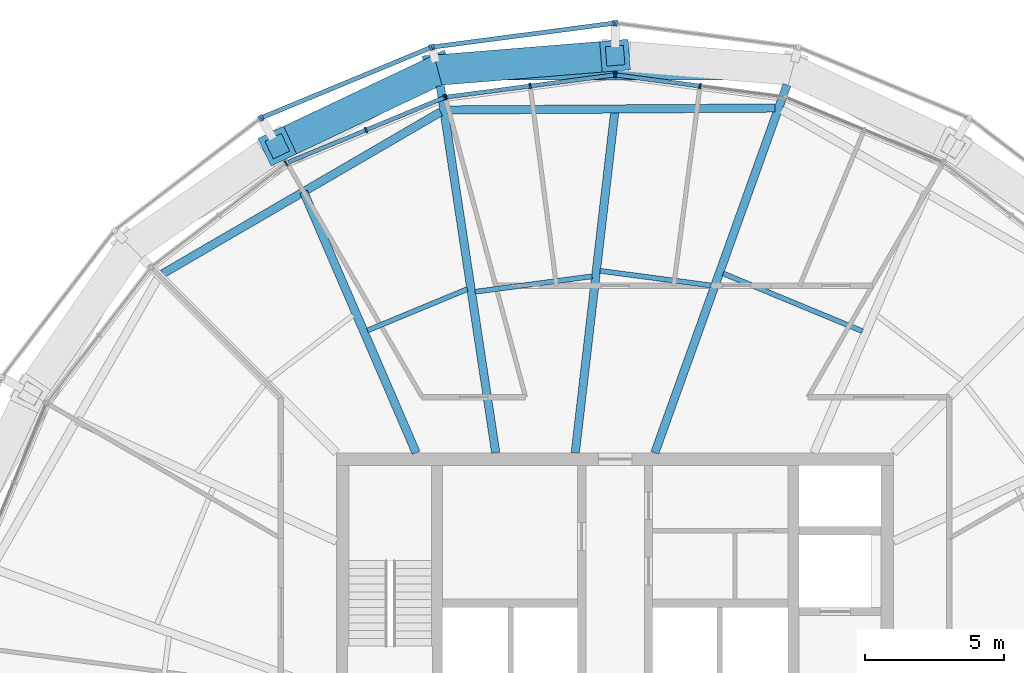
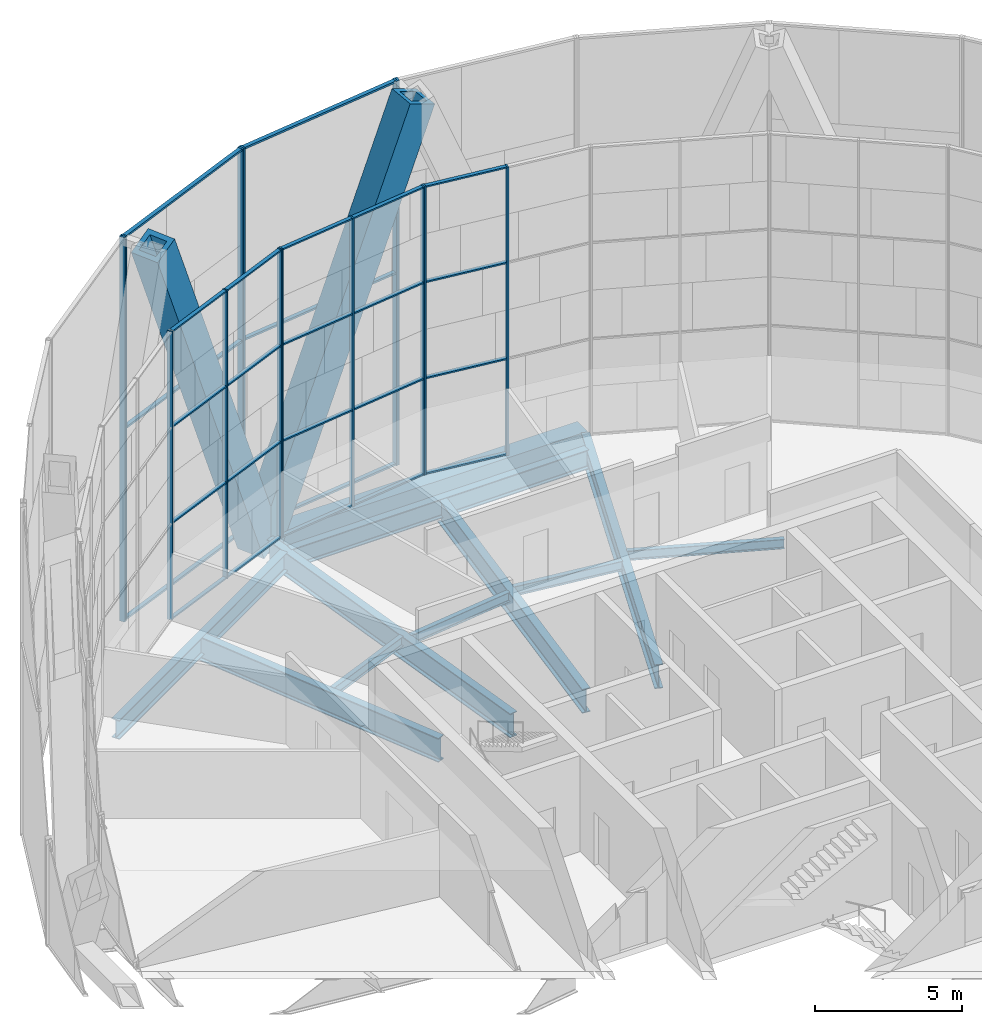
# One storey, part 8 of 26: 42 members, 11 beams, 8 elements without a shape of their own.
"""IFC4 building model written with IfcOpenShell, lengths in metres."""

from ifc_helpers import new_model, si_unit, direction, frame, origin, origin_2d, place, context, subcontext, project, spatial, rectangle, hollow_rectangle, i_section, extrude, material, material_profile, profile_set, type_object, element, aggregate, save


model = new_model("IFC4")

# Units and contexts
model_context = context("Model", 3, precision=1e-05, world=origin(), true_north=direction((0.0, 1.0)))
body_context = subcontext(model_context, "Body", "Model", "MODEL_VIEW")
ifc_project = project(units=[si_unit("LENGTHUNIT", "METRE"), si_unit("AREAUNIT", "SQUARE_METRE"), si_unit("VOLUMEUNIT", "CUBIC_METRE"), si_unit("PLANEANGLEUNIT", "RADIAN"), si_unit("MASSUNIT", "GRAM", prefix="KILO")], contexts=[model_context])

# Site, building, storey
site_placement = place(None, origin())
site = spatial("IfcSite", under=ifc_project, at=site_placement, CompositionType="ELEMENT")
building_placement = place(site_placement, origin())
building = spatial("IfcBuilding", under=site, at=building_placement, Name="Golbaran Civic Tower", CompositionType="ELEMENT")
storey_placement = place(building_placement, frame((0.0, 0.0, 199.0)))
storey = spatial("IfcBuildingStorey", under=building, at=storey_placement, Name="L48", CompositionType="ELEMENT", Elevation=199.0)

# Members
ifc_material_1 = material(Name="Steel S355", Category="steel")
ifc_material_profile_1 = material_profile(ifc_material_1, hollow_rectangle(XDim=1.10009765625, YDim=1.10009765625, WallThickness=0.199951171875, at=origin_2d()), Name="BOX 1100x1100x200")
ifc_profile_set_1 = profile_set([ifc_material_profile_1], Name="Steel S355")
member_type_1 = type_object("IfcMemberType", Name="DIAGRID DIAGONAL BOX 1100x1100x200", PredefinedType="BRACE", material=ifc_profile_set_1)
for number, where, z_axis, x_axis, name in (
    (1, (-6.361328125, 23.740478515625, -0.7099609375), (-0.334764832099, -0.158722749986, 0.92883776615), (0.428416849002, -0.903581210236, 0.0), "Diagonal D11-03R L48-L52"),
    (2, (-6.361328125, 23.740478515625, -0.7099609375), (0.369288121894, 0.029933086945, 0.928832758538), (-0.080791217773, 0.996731046537, 0.0), "Diagonal D11-03L L48-L52"),
):
    element("IfcMember", number, at=place(storey_placement, frame(where, z_axis=z_axis, x_axis=x_axis)), inside=storey, type_object=member_type_1, Name=name, PredefinedType="BRACE", context=body_context, shape_type="SweptSolid", body=[
        extrude(hollow_rectangle(XDim=1.10009765625, YDim=1.10009765625, WallThickness=0.199951171875, at=origin_2d()), origin(), (0.0, 0.0, 1.0), 17.225830078125),
    ])

# Beams
ifc_material_profile_2 = material_profile(ifc_material_1, hollow_rectangle(XDim=0.699951171875, YDim=0.699951171875, WallThickness=0.080078125, at=origin_2d()), Name="BOX 700x700x80")
ifc_profile_set_2 = profile_set([ifc_material_profile_2], Name="Steel S355")
beam_type_1 = type_object("IfcBeamType", Name="DIAGRID RING TIE BOX 700x700x80", PredefinedType="BEAM", material=ifc_profile_set_2)
beam_1_placement = place(storey_placement, frame((6.361328125, 23.740478515625, -0.7099609375), z_axis=(-1.0, 0.0, 0.0), x_axis=(0.0, -1.0, 0.0)))
element("IfcBeam", 3, at=beam_1_placement, inside=storey, type_object=beam_type_1, Name="Ring tie 75.00 L48", PredefinedType="BEAM", context=body_context, shape_type="SweptSolid", body=[
    extrude(hollow_rectangle(XDim=0.699951171875, YDim=0.699951171875, WallThickness=0.080078125, at=origin_2d()), origin(), (0.0, 0.0, 1.0), 12.72265625),
])
ifc_material_profile_3 = material_profile(ifc_material_1, i_section(OverallWidth=0.300048828125, OverallDepth=0.800048828125, WebThickness=0.017578125, FlangeThickness=0.032958984375, FilletRadius=0.030029296875, at=origin_2d()), Name="HEB 800")
ifc_profile_set_3 = profile_set([ifc_material_profile_3], Name="Steel S355")
beam_type_2 = type_object("IfcBeamType", Name="EDGE BEAM HEB 800", PredefinedType="BEAM", material=ifc_profile_set_3)
beam_2_placement = place(storey_placement, frame((5.733642578125, 22.376953125, -0.60009765625), z_axis=(-0.999981458271, -0.006089590707, 0.0), x_axis=(0.006089590707, -0.999981458271, 0.0)))
element("IfcBeam", 4, at=beam_2_placement, inside=storey, type_object=beam_type_2, Name="Edge beam 75.00 L48", PredefinedType="BEAM", context=body_context, shape_type="SweptSolid", body=[
    extrude(i_section(OverallWidth=0.300048828125, OverallDepth=0.800048828125, WebThickness=0.017578125, FlangeThickness=0.032958984375, FilletRadius=0.030029296875, at=origin_2d()), origin(), (0.0, 0.0, 1.0), 11.746826171875),
])
beam_3_placement = place(storey_placement, frame((-6.26513671875, 22.234130859375, -0.60009765625), z_axis=(-0.864268605377, -0.503030593264, 0.0), x_axis=(0.503030593264, -0.864268605377, 0.0)))
element("IfcBeam", 5, at=beam_3_placement, inside=storey, type_object=beam_type_2, Name="Edge beam 105.00 L48", PredefinedType="BEAM", context=body_context, shape_type="SweptSolid", body=[
    extrude(i_section(OverallWidth=0.300048828125, OverallDepth=0.800048828125, WebThickness=0.017578125, FlangeThickness=0.032958984375, FilletRadius=0.030029296875, at=origin_2d()), origin(), (0.0, 0.0, 1.0), 11.544677734375),
])
ifc_material_profile_4 = material_profile(ifc_material_1, i_section(OverallWidth=0.179931640625, OverallDepth=0.39990234375, WebThickness=0.008544921875, FlangeThickness=0.013427734375, FilletRadius=0.02099609375, at=origin_2d()), Name="IPE 400")
ifc_profile_set_4 = profile_set([ifc_material_profile_4], Name="Steel S355")
beam_type_3 = type_object("IfcBeamType", Name="FLOOR INFILL BEAM IPE 400", PredefinedType="BEAM", material=ifc_profile_set_4)
beam_4_placement = place(storey_placement, frame((8.88134765625, 14.364990234375, -0.39990234375), z_axis=(-0.923884424675, 0.382671621423, 0.0), x_axis=(-0.382671621423, -0.923884424675, 0.0)))
element("IfcBeam", 6, at=beam_4_placement, inside=storey, type_object=beam_type_3, Name="Infill beam 67.50 L48", PredefinedType="BEAM", context=body_context, shape_type="SweptSolid", body=[
    extrude(i_section(OverallWidth=0.179931640625, OverallDepth=0.39990234375, WebThickness=0.008544921875, FlangeThickness=0.013427734375, FilletRadius=0.02099609375, at=origin_2d()), origin(), (0.0, 0.0, 1.0), 5.416015625),
])
beam_5_placement = place(storey_placement, frame((3.44677734375, 16.006591796875, -0.39990234375), z_axis=(-0.991443344433, 0.130537714016, 0.0), x_axis=(-0.130537714016, -0.991443344433, 0.0)))
element("IfcBeam", 7, at=beam_5_placement, inside=storey, type_object=beam_type_3, Name="Infill beam 82.50 L48", PredefinedType="BEAM", context=body_context, shape_type="SweptSolid", body=[
    extrude(i_section(OverallWidth=0.179931640625, OverallDepth=0.39990234375, WebThickness=0.008544921875, FlangeThickness=0.013427734375, FilletRadius=0.02099609375, at=origin_2d()), origin(), (0.0, 0.0, 1.0), 4.02294921875),
])
beam_6_placement = place(storey_placement, frame((-0.826416015625, 16.33349609375, -0.39990234375), z_axis=(-0.991439973221, -0.130563316053, 0.0), x_axis=(0.130563316053, -0.991439973221, 0.0)))
element("IfcBeam", 8, at=beam_6_placement, inside=storey, type_object=beam_type_3, Name="Infill beam 97.50 L48", PredefinedType="BEAM", context=body_context, shape_type="SweptSolid", body=[
    extrude(i_section(OverallWidth=0.179931640625, OverallDepth=0.39990234375, WebThickness=0.008544921875, FlangeThickness=0.013427734375, FilletRadius=0.02099609375, at=origin_2d()), origin(), (0.0, 0.0, 1.0), 4.2373046875),
])
beam_7_placement = place(storey_placement, frame((-5.3046875, 15.876220703125, -0.39990234375), z_axis=(-0.923874373434, -0.382695887241, 0.0), x_axis=(0.382695887241, -0.923874373434, 0.0)))
element("IfcBeam", 9, at=beam_7_placement, inside=storey, type_object=beam_type_3, Name="Infill beam 112.50 L48", PredefinedType="BEAM", context=body_context, shape_type="SweptSolid", body=[
    extrude(i_section(OverallWidth=0.179931640625, OverallDepth=0.39990234375, WebThickness=0.008544921875, FlangeThickness=0.013427734375, FilletRadius=0.02099609375, at=origin_2d()), origin(), (0.0, 0.0, 1.0), 3.885009765625),
])

# Curtain wall, members
ifc_material_2 = material(Name="Aluminium and glass", Category="aluminium")
curtain_wall_type_1 = type_object("IfcCurtainWallType", Name="INNER SKIN CURTAIN WALL EXECUTIVE", PredefinedType="NOTDEFINED", material=ifc_material_2)
curtain_wall_1_placement = place(storey_placement, origin())
curtain_wall_1 = element("IfcCurtainWall", 10, at=curtain_wall_1_placement, inside=storey, type_object=curtain_wall_type_1, Name="Inner skin L48 facet 6 CW2", ObjectType="INNER SKIN", PredefinedType="USERDEFINED")
ifc_material_3 = material(Name="Aluminium", Category="aluminium")
ifc_material_profile_5 = material_profile(ifc_material_3, rectangle(XDim=0.199951171875, YDim=0.06005859375, at=origin_2d()), Name="INNER SKIN CURTAIN WALL EXECUTIVE MULLION")
ifc_profile_set_5 = profile_set([ifc_material_profile_5], Name="Aluminium")
member_type_2 = type_object("IfcMemberType", Name="INNER SKIN CURTAIN WALL EXECUTIVE MULLION", PredefinedType="MULLION", material=ifc_profile_set_5)
member_1_placement = place(storey_placement, frame((3.0498046875, 23.16552734375, 0.0), z_axis=(0.0, 0.0, 1.0), x_axis=(-0.130526192237, -0.991444861372, 0.0)))
member_1 = element("IfcMember", 11, at=member_1_placement, type_object=member_type_2, Name="CW2 mullion 2", PredefinedType="MULLION", context=body_context, shape_type="SweptSolid", body=[
    extrude(rectangle(XDim=0.199951171875, YDim=0.06005859375, at=origin_2d()), origin(), (0.0, 0.0, 1.0), 12.0),
])
member_2_placement = place(storey_placement, frame((0.02978515625, 23.56298828125, 0.0), z_axis=(0.0, 0.0, 1.0), x_axis=(-0.130526192237, -0.991444861372, 0.0)))
member_2 = element("IfcMember", 12, at=member_2_placement, type_object=member_type_2, Name="CW2 mullion 3", PredefinedType="MULLION", context=body_context, shape_type="SweptSolid", body=[
    extrude(rectangle(XDim=0.199951171875, YDim=0.06005859375, at=origin_2d()), origin(), (0.0, 0.0, 1.0), 12.0),
])

curtain_wall_2_placement = place(storey_placement, origin())
curtain_wall_2 = element("IfcCurtainWall", 13, at=curtain_wall_2_placement, inside=storey, type_object=curtain_wall_type_1, Name="Inner skin L48 facet 7 CW2", ObjectType="INNER SKIN", PredefinedType="USERDEFINED")
member_3_placement = place(storey_placement, frame((-0.02978515625, 23.56298828125, 0.0), z_axis=(0.0, 0.0, 1.0), x_axis=(0.130526192237, -0.991444861372, 0.0)))
member_3 = element("IfcMember", 14, at=member_3_placement, type_object=member_type_2, Name="CW2 mullion 1", PredefinedType="MULLION", context=body_context, shape_type="SweptSolid", body=[
    extrude(rectangle(XDim=0.199951171875, YDim=0.06005859375, at=origin_2d()), origin(), (0.0, 0.0, 1.0), 12.0),
])
member_4_placement = place(storey_placement, frame((-3.0498046875, 23.16552734375, 0.0), z_axis=(0.0, 0.0, 1.0), x_axis=(0.130526192237, -0.991444861372, 0.0)))
member_4 = element("IfcMember", 15, at=member_4_placement, type_object=member_type_2, Name="CW2 mullion 2", PredefinedType="MULLION", context=body_context, shape_type="SweptSolid", body=[
    extrude(rectangle(XDim=0.199951171875, YDim=0.06005859375, at=origin_2d()), origin(), (0.0, 0.0, 1.0), 12.0),
])
member_5_placement = place(storey_placement, frame((-6.06982421875, 22.767822265625, 0.0), z_axis=(0.0, 0.0, 1.0), x_axis=(0.130526192237, -0.991444861372, 0.0)))
member_5 = element("IfcMember", 16, at=member_5_placement, type_object=member_type_2, Name="CW2 mullion 3", PredefinedType="MULLION", context=body_context, shape_type="SweptSolid", body=[
    extrude(rectangle(XDim=0.199951171875, YDim=0.06005859375, at=origin_2d()), origin(), (0.0, 0.0, 1.0), 12.0),
])

curtain_wall_3_placement = place(storey_placement, origin())
curtain_wall_3 = element("IfcCurtainWall", 17, at=curtain_wall_3_placement, inside=storey, type_object=curtain_wall_type_1, Name="Inner skin L48 facet 8 CW2", ObjectType="INNER SKIN", PredefinedType="USERDEFINED")
member_6_placement = place(storey_placement, frame((-6.127197265625, 22.75244140625, 0.0), z_axis=(0.0, 0.0, 1.0), x_axis=(0.382683432349, -0.923879532518, 0.0)))
member_6 = element("IfcMember", 18, at=member_6_placement, type_object=member_type_2, Name="CW2 mullion 1", PredefinedType="MULLION", context=body_context, shape_type="SweptSolid", body=[
    extrude(rectangle(XDim=0.199951171875, YDim=0.06005859375, at=origin_2d()), origin(), (0.0, 0.0, 1.0), 12.0),
])
member_7_placement = place(storey_placement, frame((-8.941650390625, 21.5869140625, 0.0), z_axis=(0.0, 0.0, 1.0), x_axis=(0.382683432349, -0.923879532518, 0.0)))
member_7 = element("IfcMember", 19, at=member_7_placement, type_object=member_type_2, Name="CW2 mullion 2", PredefinedType="MULLION", context=body_context, shape_type="SweptSolid", body=[
    extrude(rectangle(XDim=0.199951171875, YDim=0.06005859375, at=origin_2d()), origin(), (0.0, 0.0, 1.0), 12.0),
])

# Curtain wall, member
curtain_wall_4_placement = place(storey_placement, origin())
curtain_wall_4 = element("IfcCurtainWall", 20, at=curtain_wall_4_placement, inside=storey, type_object=curtain_wall_type_1, Name="Inner skin L48 facet 9 CW2", ObjectType="INNER SKIN", PredefinedType="USERDEFINED")
member_8_placement = place(storey_placement, frame((-11.807373046875, 20.391357421875, 0.0), z_axis=(0.0, 0.0, 1.0), x_axis=(0.60876142905, -0.793353340259, 0.0)))
member_8 = element("IfcMember", 21, at=member_8_placement, type_object=member_type_2, Name="CW2 mullion 1", PredefinedType="MULLION", context=body_context, shape_type="SweptSolid", body=[
    extrude(rectangle(XDim=0.199951171875, YDim=0.06005859375, at=origin_2d()), origin(), (0.0, 0.0, 1.0), 12.0),
])
aggregate(curtain_wall_4, [member_8])

# Member
ifc_material_profile_6 = material_profile(ifc_material_3, rectangle(XDim=0.14990234375, YDim=0.06005859375, at=origin_2d()), Name="INNER SKIN CURTAIN WALL EXECUTIVE TRANSOM")
ifc_profile_set_6 = profile_set([ifc_material_profile_6], Name="Aluminium")
member_type_3 = type_object("IfcMemberType", Name="INNER SKIN CURTAIN WALL EXECUTIVE TRANSOM", PredefinedType="USERDEFINED", material=ifc_profile_set_6)
member_9_placement = place(storey_placement, frame((3.02001953125, 23.16943359375, 0.030029296875), z_axis=(-0.991449285551, 0.130492582858, 0.0), x_axis=(-0.130492582858, -0.991449285551, 0.0)))
member_9 = element("IfcMember", 22, at=member_9_placement, type_object=member_type_3, Name="CW2 transom 2.1", ObjectType="TRANSOM", PredefinedType="USERDEFINED", context=body_context, shape_type="SweptSolid", body=[
    extrude(rectangle(XDim=0.14990234375, YDim=0.06005859375, at=origin_2d()), origin(), (0.0, 0.0, 1.0), 2.986083984375),
])

member_10_placement = place(storey_placement, frame((3.02001953125, 23.16943359375, 4.0), z_axis=(-0.991449285551, 0.130492582858, 0.0), x_axis=(-0.130492582858, -0.991449285551, 0.0)))
member_10 = element("IfcMember", 23, at=member_10_placement, type_object=member_type_3, Name="CW2 transom 2.2", ObjectType="TRANSOM", PredefinedType="USERDEFINED", context=body_context, shape_type="SweptSolid", body=[
    extrude(rectangle(XDim=0.14990234375, YDim=0.06005859375, at=origin_2d()), origin(), (0.0, 0.0, 1.0), 2.986083984375),
])

member_11_placement = place(storey_placement, frame((3.02001953125, 23.16943359375, 8.0), z_axis=(-0.991449285551, 0.130492582858, 0.0), x_axis=(-0.130492582858, -0.991449285551, 0.0)))
member_11 = element("IfcMember", 24, at=member_11_placement, type_object=member_type_3, Name="CW2 transom 2.3", ObjectType="TRANSOM", PredefinedType="USERDEFINED", context=body_context, shape_type="SweptSolid", body=[
    extrude(rectangle(XDim=0.14990234375, YDim=0.06005859375, at=origin_2d()), origin(), (0.0, 0.0, 1.0), 2.986083984375),
])

member_12_placement = place(storey_placement, frame((3.02001953125, 23.16943359375, 11.969970703125), z_axis=(-0.991449285551, 0.130492582858, 0.0), x_axis=(-0.130492582858, -0.991449285551, 0.0)))
member_12 = element("IfcMember", 25, at=member_12_placement, type_object=member_type_3, Name="CW2 transom 2.4", ObjectType="TRANSOM", PredefinedType="USERDEFINED", context=body_context, shape_type="SweptSolid", body=[
    extrude(rectangle(XDim=0.14990234375, YDim=0.06005859375, at=origin_2d()), origin(), (0.0, 0.0, 1.0), 2.986083984375),
])

aggregate(curtain_wall_1, [member_1, member_2, member_9, member_10, member_11, member_12])

member_13_placement = place(storey_placement, frame((-0.0595703125, 23.55908203125, 0.030029296875), z_axis=(-0.991449285551, -0.130492582858, 0.0), x_axis=(0.130492582858, -0.991449285551, 0.0)))
member_13 = element("IfcMember", 26, at=member_13_placement, type_object=member_type_3, Name="CW2 transom 1.1", ObjectType="TRANSOM", PredefinedType="USERDEFINED", context=body_context, shape_type="SweptSolid", body=[
    extrude(rectangle(XDim=0.14990234375, YDim=0.06005859375, at=origin_2d()), origin(), (0.0, 0.0, 1.0), 2.986083984375),
])

member_14_placement = place(storey_placement, frame((-0.0595703125, 23.55908203125, 4.0), z_axis=(-0.991449285551, -0.130492582858, 0.0), x_axis=(0.130492582858, -0.991449285551, 0.0)))
member_14 = element("IfcMember", 27, at=member_14_placement, type_object=member_type_3, Name="CW2 transom 1.2", ObjectType="TRANSOM", PredefinedType="USERDEFINED", context=body_context, shape_type="SweptSolid", body=[
    extrude(rectangle(XDim=0.14990234375, YDim=0.06005859375, at=origin_2d()), origin(), (0.0, 0.0, 1.0), 2.986083984375),
])

member_15_placement = place(storey_placement, frame((-0.0595703125, 23.55908203125, 8.0), z_axis=(-0.991449285551, -0.130492582858, 0.0), x_axis=(0.130492582858, -0.991449285551, 0.0)))
member_15 = element("IfcMember", 28, at=member_15_placement, type_object=member_type_3, Name="CW2 transom 1.3", ObjectType="TRANSOM", PredefinedType="USERDEFINED", context=body_context, shape_type="SweptSolid", body=[
    extrude(rectangle(XDim=0.14990234375, YDim=0.06005859375, at=origin_2d()), origin(), (0.0, 0.0, 1.0), 2.986083984375),
])

member_16_placement = place(storey_placement, frame((-0.0595703125, 23.55908203125, 11.969970703125), z_axis=(-0.991449285551, -0.130492582858, 0.0), x_axis=(0.130492582858, -0.991449285551, 0.0)))
member_16 = element("IfcMember", 29, at=member_16_placement, type_object=member_type_3, Name="CW2 transom 1.4", ObjectType="TRANSOM", PredefinedType="USERDEFINED", context=body_context, shape_type="SweptSolid", body=[
    extrude(rectangle(XDim=0.14990234375, YDim=0.06005859375, at=origin_2d()), origin(), (0.0, 0.0, 1.0), 2.986083984375),
])

member_17_placement = place(storey_placement, frame((-3.07958984375, 23.16162109375, 0.030029296875), z_axis=(-0.991438704267, -0.130572951568, 0.0), x_axis=(0.130572951568, -0.991438704267, 0.0)))
member_17 = element("IfcMember", 30, at=member_17_placement, type_object=member_type_3, Name="CW2 transom 2.1", ObjectType="TRANSOM", PredefinedType="USERDEFINED", context=body_context, shape_type="SweptSolid", body=[
    extrude(rectangle(XDim=0.14990234375, YDim=0.06005859375, at=origin_2d()), origin(), (0.0, 0.0, 1.0), 2.986083984375),
])

member_18_placement = place(storey_placement, frame((-3.07958984375, 23.16162109375, 4.0), z_axis=(-0.991438704267, -0.130572951568, 0.0), x_axis=(0.130572951568, -0.991438704267, 0.0)))
member_18 = element("IfcMember", 31, at=member_18_placement, type_object=member_type_3, Name="CW2 transom 2.2", ObjectType="TRANSOM", PredefinedType="USERDEFINED", context=body_context, shape_type="SweptSolid", body=[
    extrude(rectangle(XDim=0.14990234375, YDim=0.06005859375, at=origin_2d()), origin(), (0.0, 0.0, 1.0), 2.986083984375),
])

member_19_placement = place(storey_placement, frame((-3.07958984375, 23.16162109375, 8.0), z_axis=(-0.991438704267, -0.130572951568, 0.0), x_axis=(0.130572951568, -0.991438704267, 0.0)))
member_19 = element("IfcMember", 32, at=member_19_placement, type_object=member_type_3, Name="CW2 transom 2.3", ObjectType="TRANSOM", PredefinedType="USERDEFINED", context=body_context, shape_type="SweptSolid", body=[
    extrude(rectangle(XDim=0.14990234375, YDim=0.06005859375, at=origin_2d()), origin(), (0.0, 0.0, 1.0), 2.986083984375),
])

member_20_placement = place(storey_placement, frame((-3.07958984375, 23.16162109375, 11.969970703125), z_axis=(-0.991438704267, -0.130572951568, 0.0), x_axis=(0.130572951568, -0.991438704267, 0.0)))
member_20 = element("IfcMember", 33, at=member_20_placement, type_object=member_type_3, Name="CW2 transom 2.4", ObjectType="TRANSOM", PredefinedType="USERDEFINED", context=body_context, shape_type="SweptSolid", body=[
    extrude(rectangle(XDim=0.14990234375, YDim=0.06005859375, at=origin_2d()), origin(), (0.0, 0.0, 1.0), 2.986083984375),
])

aggregate(curtain_wall_2, [member_3, member_4, member_5, member_13, member_14, member_15, member_16, member_17, member_18, member_19, member_20])

member_21_placement = place(storey_placement, frame((-6.155029296875, 22.740966796875, 0.030029296875), z_axis=(-0.923897258763, -0.382640634603, 0.0), x_axis=(0.382640634603, -0.923897258763, 0.0)))
member_21 = element("IfcMember", 34, at=member_21_placement, type_object=member_type_3, Name="CW2 transom 1.1", ObjectType="TRANSOM", PredefinedType="USERDEFINED", context=body_context, shape_type="SweptSolid", body=[
    extrude(rectangle(XDim=0.14990234375, YDim=0.06005859375, at=origin_2d()), origin(), (0.0, 0.0, 1.0), 2.986083984375),
])

member_22_placement = place(storey_placement, frame((-6.155029296875, 22.740966796875, 4.0), z_axis=(-0.923897258763, -0.382640634603, 0.0), x_axis=(0.382640634603, -0.923897258763, 0.0)))
member_22 = element("IfcMember", 35, at=member_22_placement, type_object=member_type_3, Name="CW2 transom 1.2", ObjectType="TRANSOM", PredefinedType="USERDEFINED", context=body_context, shape_type="SweptSolid", body=[
    extrude(rectangle(XDim=0.14990234375, YDim=0.06005859375, at=origin_2d()), origin(), (0.0, 0.0, 1.0), 2.986083984375),
])

member_23_placement = place(storey_placement, frame((-6.155029296875, 22.740966796875, 8.0), z_axis=(-0.923897258763, -0.382640634603, 0.0), x_axis=(0.382640634603, -0.923897258763, 0.0)))
member_23 = element("IfcMember", 36, at=member_23_placement, type_object=member_type_3, Name="CW2 transom 1.3", ObjectType="TRANSOM", PredefinedType="USERDEFINED", context=body_context, shape_type="SweptSolid", body=[
    extrude(rectangle(XDim=0.14990234375, YDim=0.06005859375, at=origin_2d()), origin(), (0.0, 0.0, 1.0), 2.986083984375),
])

member_24_placement = place(storey_placement, frame((-6.155029296875, 22.740966796875, 11.969970703125), z_axis=(-0.923897258763, -0.382640634603, 0.0), x_axis=(0.382640634603, -0.923897258763, 0.0)))
member_24 = element("IfcMember", 37, at=member_24_placement, type_object=member_type_3, Name="CW2 transom 1.4", ObjectType="TRANSOM", PredefinedType="USERDEFINED", context=body_context, shape_type="SweptSolid", body=[
    extrude(rectangle(XDim=0.14990234375, YDim=0.06005859375, at=origin_2d()), origin(), (0.0, 0.0, 1.0), 2.986083984375),
])

member_25_placement = place(storey_placement, frame((-8.96923828125, 21.5751953125, 0.030029296875), z_axis=(-0.923897258763, -0.382640634603, 0.0), x_axis=(0.382640634603, -0.923897258763, 0.0)))
member_25 = element("IfcMember", 38, at=member_25_placement, type_object=member_type_3, Name="CW2 transom 2.1", ObjectType="TRANSOM", PredefinedType="USERDEFINED", context=body_context, shape_type="SweptSolid", body=[
    extrude(rectangle(XDim=0.14990234375, YDim=0.06005859375, at=origin_2d()), origin(), (0.0, 0.0, 1.0), 2.986083984375),
])

member_26_placement = place(storey_placement, frame((-8.96923828125, 21.5751953125, 4.0), z_axis=(-0.923897258763, -0.382640634603, 0.0), x_axis=(0.382640634603, -0.923897258763, 0.0)))
member_26 = element("IfcMember", 39, at=member_26_placement, type_object=member_type_3, Name="CW2 transom 2.2", ObjectType="TRANSOM", PredefinedType="USERDEFINED", context=body_context, shape_type="SweptSolid", body=[
    extrude(rectangle(XDim=0.14990234375, YDim=0.06005859375, at=origin_2d()), origin(), (0.0, 0.0, 1.0), 2.986083984375),
])

member_27_placement = place(storey_placement, frame((-8.96923828125, 21.5751953125, 8.0), z_axis=(-0.923897258763, -0.382640634603, 0.0), x_axis=(0.382640634603, -0.923897258763, 0.0)))
member_27 = element("IfcMember", 40, at=member_27_placement, type_object=member_type_3, Name="CW2 transom 2.3", ObjectType="TRANSOM", PredefinedType="USERDEFINED", context=body_context, shape_type="SweptSolid", body=[
    extrude(rectangle(XDim=0.14990234375, YDim=0.06005859375, at=origin_2d()), origin(), (0.0, 0.0, 1.0), 2.986083984375),
])

member_28_placement = place(storey_placement, frame((-8.96923828125, 21.5751953125, 11.969970703125), z_axis=(-0.923897258763, -0.382640634603, 0.0), x_axis=(0.382640634603, -0.923897258763, 0.0)))
member_28 = element("IfcMember", 41, at=member_28_placement, type_object=member_type_3, Name="CW2 transom 2.4", ObjectType="TRANSOM", PredefinedType="USERDEFINED", context=body_context, shape_type="SweptSolid", body=[
    extrude(rectangle(XDim=0.14990234375, YDim=0.06005859375, at=origin_2d()), origin(), (0.0, 0.0, 1.0), 2.986083984375),
])

aggregate(curtain_wall_3, [member_6, member_7, member_21, member_22, member_23, member_24, member_25, member_26, member_27, member_28])

# Curtain wall, member
curtain_wall_type_2 = type_object("IfcCurtainWallType", Name="OUTER SKIN TERRACOTTA SCREEN", PredefinedType="NOTDEFINED", material=ifc_material_2)
curtain_wall_5_placement = place(storey_placement, origin())
curtain_wall_5 = element("IfcCurtainWall", 42, at=curtain_wall_5_placement, inside=storey, type_object=curtain_wall_type_2, Name="Outer skin L48 facet 6 CW3", ObjectType="OUTER SKIN", PredefinedType="USERDEFINED")
ifc_material_profile_7 = material_profile(ifc_material_3, rectangle(XDim=0.219970703125, YDim=0.080078125, at=origin_2d()), Name="OUTER SKIN TERRACOTTA SCREEN MULLION")
ifc_profile_set_7 = profile_set([ifc_material_profile_7], Name="Aluminium")
member_type_4 = type_object("IfcMemberType", Name="OUTER SKIN TERRACOTTA SCREEN MULLION", PredefinedType="MULLION", material=ifc_profile_set_7)
member_29_placement = place(storey_placement, frame((0.03955078125, 25.4228515625, -0.7099609375), z_axis=(0.0, 0.0, 1.0), x_axis=(-0.130526192203, -0.991444861376, 0.0)))
member_29 = element("IfcMember", 43, at=member_29_placement, type_object=member_type_4, Name="CW3 mullion 2", PredefinedType="MULLION", context=body_context, shape_type="SweptSolid", body=[
    extrude(rectangle(XDim=0.219970703125, YDim=0.080078125, at=origin_2d()), origin(), (0.0, 0.0, 1.0), 16.0),
])
aggregate(curtain_wall_5, [member_29])

# Curtain wall, members
curtain_wall_6_placement = place(storey_placement, origin())
curtain_wall_6 = element("IfcCurtainWall", 44, at=curtain_wall_6_placement, inside=storey, type_object=curtain_wall_type_2, Name="Outer skin L48 facet 7 CW3", ObjectType="OUTER SKIN", PredefinedType="USERDEFINED")
member_30_placement = place(storey_placement, frame((-0.03955078125, 25.4228515625, -0.7099609375), z_axis=(0.0, 0.0, 1.0), x_axis=(0.130526192203, -0.991444861376, 0.0)))
member_30 = element("IfcMember", 45, at=member_30_placement, type_object=member_type_4, Name="CW3 mullion 1", PredefinedType="MULLION", context=body_context, shape_type="SweptSolid", body=[
    extrude(rectangle(XDim=0.219970703125, YDim=0.080078125, at=origin_2d()), origin(), (0.0, 0.0, 1.0), 16.0),
])
member_31_placement = place(storey_placement, frame((-6.54150390625, 24.56689453125, -0.7099609375), z_axis=(0.0, 0.0, 1.0), x_axis=(0.130526192203, -0.991444861376, 0.0)))
member_31 = element("IfcMember", 46, at=member_31_placement, type_object=member_type_4, Name="CW3 mullion 2", PredefinedType="MULLION", context=body_context, shape_type="SweptSolid", body=[
    extrude(rectangle(XDim=0.219970703125, YDim=0.080078125, at=origin_2d()), origin(), (0.0, 0.0, 1.0), 16.0),
])

curtain_wall_7_placement = place(storey_placement, origin())
curtain_wall_7 = element("IfcCurtainWall", 47, at=curtain_wall_7_placement, inside=storey, type_object=curtain_wall_type_2, Name="Outer skin L48 facet 8 CW3", ObjectType="OUTER SKIN", PredefinedType="USERDEFINED")
member_32_placement = place(storey_placement, frame((-6.6181640625, 24.546142578125, -0.7099609375), z_axis=(0.0, 0.0, 1.0), x_axis=(0.382683432446, -0.923879532478, 0.0)))
member_32 = element("IfcMember", 48, at=member_32_placement, type_object=member_type_4, Name="CW3 mullion 1", PredefinedType="MULLION", context=body_context, shape_type="SweptSolid", body=[
    extrude(rectangle(XDim=0.219970703125, YDim=0.080078125, at=origin_2d()), origin(), (0.0, 0.0, 1.0), 16.0),
])
member_33_placement = place(storey_placement, frame((-12.677001953125, 22.03662109375, -0.7099609375), z_axis=(0.0, 0.0, 1.0), x_axis=(0.382683432446, -0.923879532478, 0.0)))
member_33 = element("IfcMember", 49, at=member_33_placement, type_object=member_type_4, Name="CW3 mullion 2", PredefinedType="MULLION", context=body_context, shape_type="SweptSolid", body=[
    extrude(rectangle(XDim=0.219970703125, YDim=0.080078125, at=origin_2d()), origin(), (0.0, 0.0, 1.0), 16.0),
])

# Curtain wall, member
curtain_wall_8_placement = place(storey_placement, origin())
curtain_wall_8 = element("IfcCurtainWall", 50, at=curtain_wall_8_placement, inside=storey, type_object=curtain_wall_type_2, Name="Outer skin L48 facet 9 CW3", ObjectType="OUTER SKIN", PredefinedType="USERDEFINED")
member_34_placement = place(storey_placement, frame((-12.745849609375, 21.996826171875, -0.7099609375), z_axis=(0.0, 0.0, 1.0), x_axis=(0.608761428967, -0.793353340323, 0.0)))
member_34 = element("IfcMember", 51, at=member_34_placement, type_object=member_type_4, Name="CW3 mullion 1", PredefinedType="MULLION", context=body_context, shape_type="SweptSolid", body=[
    extrude(rectangle(XDim=0.219970703125, YDim=0.080078125, at=origin_2d()), origin(), (0.0, 0.0, 1.0), 16.0),
])
aggregate(curtain_wall_8, [member_34])

# Member
ifc_material_profile_8 = material_profile(ifc_material_3, rectangle(XDim=0.159912109375, YDim=0.080078125, at=origin_2d()), Name="OUTER SKIN TERRACOTTA SCREEN TRANSOM")
ifc_profile_set_8 = profile_set([ifc_material_profile_8], Name="Aluminium")
member_type_5 = type_object("IfcMemberType", Name="OUTER SKIN TERRACOTTA SCREEN TRANSOM", PredefinedType="USERDEFINED", material=ifc_profile_set_8)
member_35_placement = place(storey_placement, frame((-0.079345703125, 25.41748046875, -0.669921875), z_axis=(-0.991446725575, -0.130512031424, 0.0), x_axis=(0.130512031424, -0.991446725575, 0.0)))
member_35 = element("IfcMember", 52, at=member_35_placement, type_object=member_type_5, Name="CW3 transom 1.1", ObjectType="TRANSOM", PredefinedType="USERDEFINED", context=body_context, shape_type="SweptSolid", body=[
    extrude(rectangle(XDim=0.159912109375, YDim=0.080078125, at=origin_2d()), origin(), (0.0, 0.0, 1.0), 6.47802734375),
])

member_36_placement = place(storey_placement, frame((-0.079345703125, 25.41748046875, 7.2900390625), z_axis=(-0.991446725575, -0.130512031424, 0.0), x_axis=(0.130512031424, -0.991446725575, 0.0)))
member_36 = element("IfcMember", 53, at=member_36_placement, type_object=member_type_5, Name="CW3 transom 1.2", ObjectType="TRANSOM", PredefinedType="USERDEFINED", context=body_context, shape_type="SweptSolid", body=[
    extrude(rectangle(XDim=0.159912109375, YDim=0.080078125, at=origin_2d()), origin(), (0.0, 0.0, 1.0), 6.47802734375),
])

member_37_placement = place(storey_placement, frame((-0.079345703125, 25.41748046875, 15.25), z_axis=(-0.991446725575, -0.130512031424, 0.0), x_axis=(0.130512031424, -0.991446725575, 0.0)))
member_37 = element("IfcMember", 54, at=member_37_placement, type_object=member_type_5, Name="CW3 transom 1.3", ObjectType="TRANSOM", PredefinedType="USERDEFINED", context=body_context, shape_type="SweptSolid", body=[
    extrude(rectangle(XDim=0.159912109375, YDim=0.080078125, at=origin_2d()), origin(), (0.0, 0.0, 1.0), 6.47802734375),
])

aggregate(curtain_wall_6, [member_30, member_31, member_35, member_36, member_37])

member_38_placement = place(storey_placement, frame((-6.6552734375, 24.531005859375, -0.669921875), z_axis=(-0.923879949147, -0.382682426517, 0.0), x_axis=(0.382682426517, -0.923879949147, 0.0)))
member_38 = element("IfcMember", 55, at=member_38_placement, type_object=member_type_5, Name="CW3 transom 1.1", ObjectType="TRANSOM", PredefinedType="USERDEFINED", context=body_context, shape_type="SweptSolid", body=[
    extrude(rectangle(XDim=0.159912109375, YDim=0.080078125, at=origin_2d()), origin(), (0.0, 0.0, 1.0), 6.47802734375),
])

member_39_placement = place(storey_placement, frame((-6.6552734375, 24.531005859375, 7.2900390625), z_axis=(-0.923879949147, -0.382682426517, 0.0), x_axis=(0.382682426517, -0.923879949147, 0.0)))
member_39 = element("IfcMember", 56, at=member_39_placement, type_object=member_type_5, Name="CW3 transom 1.2", ObjectType="TRANSOM", PredefinedType="USERDEFINED", context=body_context, shape_type="SweptSolid", body=[
    extrude(rectangle(XDim=0.159912109375, YDim=0.080078125, at=origin_2d()), origin(), (0.0, 0.0, 1.0), 6.47802734375),
])

member_40_placement = place(storey_placement, frame((-6.6552734375, 24.531005859375, 15.25), z_axis=(-0.923879949147, -0.382682426517, 0.0), x_axis=(0.382682426517, -0.923879949147, 0.0)))
member_40 = element("IfcMember", 57, at=member_40_placement, type_object=member_type_5, Name="CW3 transom 1.3", ObjectType="TRANSOM", PredefinedType="USERDEFINED", context=body_context, shape_type="SweptSolid", body=[
    extrude(rectangle(XDim=0.159912109375, YDim=0.080078125, at=origin_2d()), origin(), (0.0, 0.0, 1.0), 6.47802734375),
])

aggregate(curtain_wall_7, [member_32, member_33, member_38, member_39, member_40])

# Beams
ifc_material_profile_9 = material_profile(ifc_material_1, i_section(OverallWidth=0.300048828125, OverallDepth=1.0, WebThickness=0.01904296875, FlangeThickness=0.035888671875, FilletRadius=0.030029296875, at=origin_2d()), Name="HEB 1000")
ifc_profile_set_9 = profile_set([ifc_material_profile_9], Name="Steel S355")
beam_type_4 = type_object("IfcBeamType", Name="RADIAL FLOOR BEAM HEB 1000", PredefinedType="BEAM", material=ifc_profile_set_9)
beam_8_placement = place(storey_placement, frame((1.428466796875, 10.0, -0.7099609375), z_axis=(0.337878192779, 0.941189846335, 0.0), x_axis=(-0.941189846335, 0.337878192779, 0.0)))
element("IfcBeam", 58, at=beam_8_placement, inside=storey, type_object=beam_type_4, Name="Radial beam 75.00 L48", PredefinedType="BEAM", context=body_context, shape_type="SweptSolid", body=[
    extrude(i_section(OverallWidth=0.300048828125, OverallDepth=1.0, WebThickness=0.01904296875, FlangeThickness=0.035888671875, FilletRadius=0.030029296875, at=origin_2d()), origin(), (0.0, 0.0, 1.0), 14.029296875),
])
beam_9_placement = place(storey_placement, frame((-4.28564453125, 10.0, -0.7099609375), z_axis=(-0.14935749392, 0.988783261898, 0.0), x_axis=(-0.988783261898, -0.14935749392, 0.0)))
element("IfcBeam", 59, at=beam_9_placement, inside=storey, type_object=beam_type_4, Name="Radial beam 105.00 L48", PredefinedType="BEAM", context=body_context, shape_type="SweptSolid", body=[
    extrude(i_section(OverallWidth=0.300048828125, OverallDepth=1.0, WebThickness=0.01904296875, FlangeThickness=0.035888671875, FilletRadius=0.030029296875, at=origin_2d()), origin(), (0.0, 0.0, 1.0), 13.322021484375),
])
ifc_material_profile_10 = material_profile(ifc_material_1, i_section(OverallWidth=0.300048828125, OverallDepth=1.0, WebThickness=0.01904296875, FlangeThickness=0.035888671875, FilletRadius=0.030029296875, at=origin_2d()), Name="HEB 1000")
ifc_profile_set_10 = profile_set([ifc_material_profile_10], Name="Steel S355")
beam_type_5 = type_object("IfcBeamType", Name="SECONDARY FLOOR BEAM HEB 1000", PredefinedType="BEAM", material=ifc_profile_set_10)
beam_10_placement = place(storey_placement, frame((-1.428466796875, 10.0, -0.7099609375), z_axis=(0.114972408731, 0.993368685449, 0.0), x_axis=(-0.993368685449, 0.114972408731, 0.0)))
element("IfcBeam", 60, at=beam_10_placement, inside=storey, type_object=beam_type_5, Name="Secondary beam 90.00 L48", PredefinedType="BEAM", context=body_context, shape_type="SweptSolid", body=[
    extrude(i_section(OverallWidth=0.300048828125, OverallDepth=1.0, WebThickness=0.01904296875, FlangeThickness=0.035888671875, FilletRadius=0.030029296875, at=origin_2d()), origin(), (0.0, 0.0, 1.0), 12.42431640625),
])
beam_11_placement = place(storey_placement, frame((-7.142822265625, 10.0, -0.7099609375), z_axis=(-0.395985517341, 0.918256756064, 0.0), x_axis=(-0.918256756064, -0.395985517341, 0.0)))
element("IfcBeam", 61, at=beam_11_placement, inside=storey, type_object=beam_type_5, Name="Secondary beam 120.00 L48", PredefinedType="BEAM", context=body_context, shape_type="SweptSolid", body=[
    extrude(i_section(OverallWidth=0.300048828125, OverallDepth=1.0, WebThickness=0.01904296875, FlangeThickness=0.035888671875, FilletRadius=0.030029296875, at=origin_2d()), origin(), (0.0, 0.0, 1.0), 10.20556640625),
])

save(model, "model.ifc")
